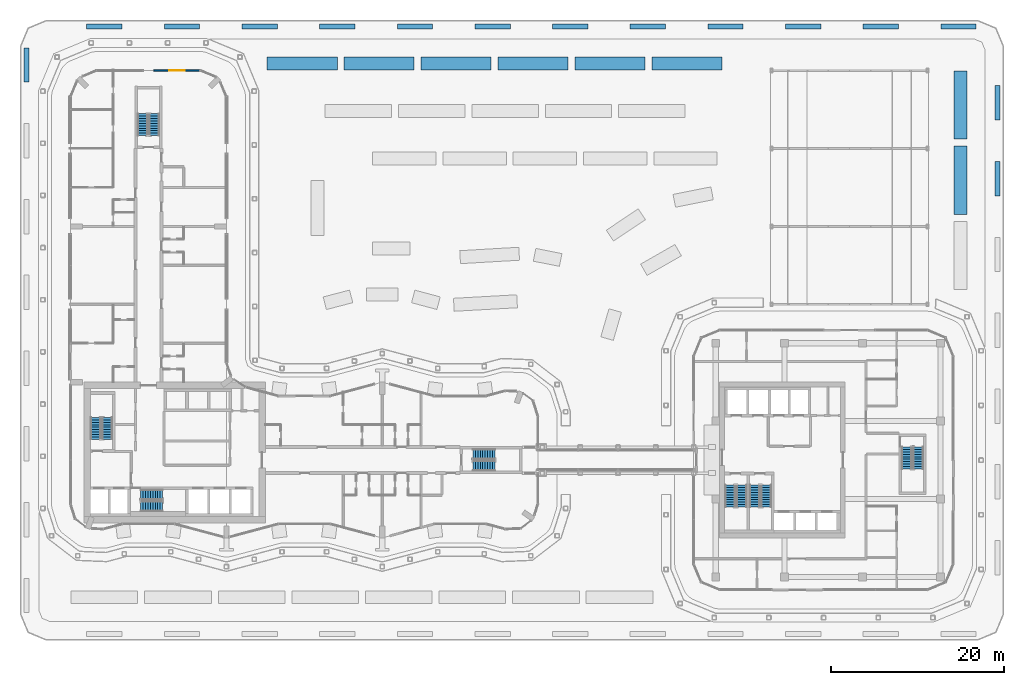
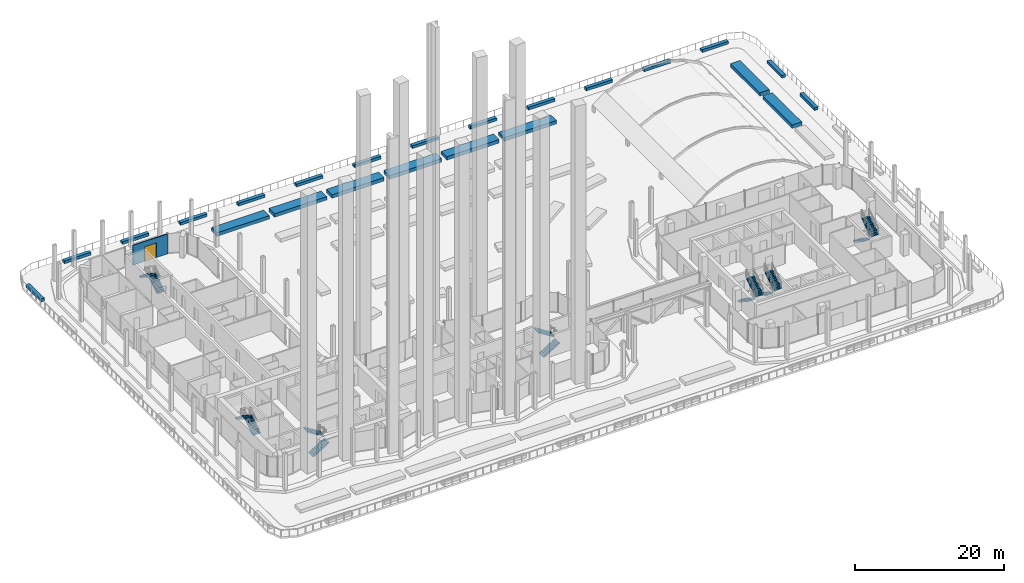
# One storey, part 29 of 33: 24 walls, 14 stair flights, 1 door, 1 opening, 7 elements without a shape of their own.
"""IFC4 building model written with IfcOpenShell, lengths in metres."""

from ifc_helpers import new_model, si_unit, direction, frame, frame_2d, origin, place, context, subcontext, project, spatial, polyline, rectangle, outline, extrude, material, layer, layer_set, type_object, element, fill, aggregate, save


model = new_model("IFC4")

# Units and contexts
model_context = context("Model", 3, precision=1e-05, world=origin(), true_north=direction((0.0, 1.0)))
body_context = subcontext(model_context, "Body", "Model", "MODEL_VIEW")
ifc_project = project(units=[si_unit("LENGTHUNIT", "METRE"), si_unit("AREAUNIT", "SQUARE_METRE"), si_unit("VOLUMEUNIT", "CUBIC_METRE"), si_unit("PLANEANGLEUNIT", "RADIAN"), si_unit("MASSUNIT", "GRAM", prefix="KILO")], contexts=[model_context])

# Site, building, storey
site_placement = place(None, origin())
site = spatial("IfcSite", under=ifc_project, at=site_placement, CompositionType="ELEMENT")
building_placement = place(site_placement, origin())
building = spatial("IfcBuilding", under=site, at=building_placement, Name="Plateau Cross Towers", CompositionType="ELEMENT")
storey_placement = place(building_placement, frame((0.0, 0.0, 26.800048828125)))
storey = spatial("IfcBuildingStorey", under=building, at=storey_placement, Name="L05", CompositionType="ELEMENT", Elevation=26.800048828125)

# Wall, opening, door
ifc_material_1 = material(Name="Aluminium framed glazing", Category="aluminium")
ifc_layer_1 = layer(ifc_material_1, 0.159912109375)
ifc_layer_set_1 = layer_set([ifc_layer_1], Name="Aluminium framed glazing")
wall_type_1 = type_object("IfcWallType", Name="Entrance screen wall 160", PredefinedType="STANDARD", material=ifc_layer_set_1)
wall_1_placement = place(storey_placement, frame((9.6201171875, 54.0, 0.0), z_axis=(0.0, 0.0, 1.0), x_axis=(1.0, 0.0, 0.0)))
wall_1 = element("IfcWall", 1, at=wall_1_placement, inside=storey, type_object=wall_type_1, Name="Deck A3 screen wall", PredefinedType="STANDARD", context=body_context, shape_type="SweptSolid", body=[
    extrude(rectangle(XDim=5.3798828125, YDim=0.159912109375, at=frame_2d((2.68994140625, 0.0))), origin(), (0.0, 0.0, 1.0), 3.25),
])
opening_placement = place(wall_1_placement, frame((1.7900390625, 0.0, 0.0)))
opening = element("IfcOpeningElement", 2, at=opening_placement, cuts=wall_1, Name="Opening XD1", PredefinedType="OPENING", context=body_context, shape_type="SweptSolid", body=[
    extrude(rectangle(XDim=1.800048828125, YDim=2.39990234375, at=frame_2d((0.89990234375, 1.199951171875))), frame((0.0, 0.08984375, 0.0), z_axis=(0.0, -1.0, 0.0), x_axis=(1.0, 0.0, 0.0)), (0.0, 0.0, 1.0), 0.179931640625),
])
door_type = type_object("IfcDoorType", Name="Terrace door double leaf 1800x2400", OperationType="DOUBLE_DOOR_SINGLE_SWING", PredefinedType="DOOR", material=ifc_material_1)
door_placement = place(opening_placement, origin())
door = element("IfcDoor", 3, at=door_placement, inside=storey, type_object=door_type, Name="Deck A3 door", OperationType="SINGLE_SWING_LEFT", OverallHeight=2.39990234375, OverallWidth=1.800048828125, PredefinedType="DOOR", context=body_context, shape_type="SweptSolid", body=[
    extrude(rectangle(XDim=1.800048828125, YDim=2.39990234375, at=frame_2d((0.89990234375, 1.199951171875))), frame((0.0, 0.02490234375, 0.0), z_axis=(0.0, -1.0, 0.0), x_axis=(1.0, 0.0, 0.0)), (0.0, 0.0, 1.0), 0.050048828125),
])
fill(opening, door)

# Walls
ifc_material_2 = material(Name="Concrete C30/37", Category="concrete")
ifc_layer_2 = layer(ifc_material_2, 0.550048828125)
ifc_layer_set_2 = layer_set([ifc_layer_2], Name="Concrete C30/37")
wall_type_2 = type_object("IfcWallType", Name="Planter upstand 550", PredefinedType="STANDARD", material=ifc_layer_set_2)
wall_2_placement = place(storey_placement, frame((-5.0849609375, 52.657958984375, 0.0), z_axis=(0.0, 0.0, 1.0), x_axis=(0.0, 1.0, 0.0)))
element("IfcWall", 4, at=wall_2_placement, inside=storey, type_object=wall_type_2, Name="Planter 8", PredefinedType="STANDARD", context=body_context, shape_type="SweptSolid", body=[
    extrude(rectangle(XDim=3.97802734375, YDim=0.550048828125, at=frame_2d((1.989013671875, 0.0))), origin(), (0.0, 0.0, 1.0), 0.449951171875),
])
for number, where, z_axis, x_axis, name in (
    (5, (1.850341796875, 59.0849609375, 0.0), (0.0, 0.0, 1.0), (1.0, 0.0, 0.0), "Planter 9"),
    (6, (10.822998046875, 59.0849609375, 0.0), (0.0, 0.0, 1.0), (1.0, 0.0, 0.0), "Planter 10"),
):
    element("IfcWall", number, at=place(storey_placement, frame(where, z_axis=z_axis, x_axis=x_axis)), inside=storey, type_object=wall_type_2, Name=name, PredefinedType="STANDARD", context=body_context, shape_type="SweptSolid", body=[
        extrude(rectangle(XDim=4.086181640625, YDim=0.550048828125, at=frame_2d((2.04296875, 0.0))), origin(), (0.0, 0.0, 1.0), 0.449951171875),
    ])
for number, where, z_axis, x_axis, name in (
    (7, (19.795654296875, 59.0849609375, 0.0), (0.0, 0.0, 1.0), (1.0, 0.0, 0.0), "Planter 11"),
    (8, (28.768310546875, 59.0849609375, 0.0), (0.0, 0.0, 1.0), (1.0, 0.0, 0.0), "Planter 12"),
    (9, (37.740966796875, 59.0849609375, 0.0), (0.0, 0.0, 1.0), (1.0, 0.0, 0.0), "Planter 13"),
    (10, (46.713623046875, 59.0849609375, 0.0), (0.0, 0.0, 1.0), (1.0, 0.0, 0.0), "Planter 14"),
    (11, (55.686279296875, 59.0849609375, 0.0), (0.0, 0.0, 1.0), (1.0, 0.0, 0.0), "Planter 15"),
    (12, (64.658935546875, 59.0849609375, 0.0), (0.0, 0.0, 1.0), (1.0, 0.0, 0.0), "Planter 16"),
    (13, (73.631591796875, 59.0849609375, 0.0), (0.0, 0.0, 1.0), (1.0, 0.0, 0.0), "Planter 17"),
):
    element("IfcWall", number, at=place(storey_placement, frame(where, z_axis=z_axis, x_axis=x_axis)), inside=storey, type_object=wall_type_2, Name=name, PredefinedType="STANDARD", context=body_context, shape_type="SweptSolid", body=[
        extrude(rectangle(XDim=4.08642578125, YDim=0.550048828125, at=frame_2d((2.043212890625, 0.0))), origin(), (0.0, 0.0, 1.0), 0.449951171875),
    ])
for number, where, z_axis, x_axis, name in (
    (14, (82.6044921875, 59.0849609375, 0.0), (0.0, 0.0, 1.0), (1.0, 0.0, 0.0), "Planter 18"),
    (15, (91.5771484375, 59.0849609375, 0.0), (0.0, 0.0, 1.0), (1.0, 0.0, 0.0), "Planter 19"),
    (16, (100.5498046875, 59.0849609375, 0.0), (0.0, 0.0, 1.0), (1.0, 0.0, 0.0), "Planter 20"),
):
    element("IfcWall", number, at=place(storey_placement, frame(where, z_axis=z_axis, x_axis=x_axis)), inside=storey, type_object=wall_type_2, Name=name, PredefinedType="STANDARD", context=body_context, shape_type="SweptSolid", body=[
        extrude(rectangle(XDim=4.086181640625, YDim=0.550048828125, at=frame_2d((2.04296875, 0.0))), origin(), (0.0, 0.0, 1.0), 0.449951171875),
    ])
wall_3_placement = place(storey_placement, frame((107.0849609375, 52.2578125, 0.0), z_axis=(0.0, 0.0, 1.0), x_axis=(0.0, -1.0, 0.0)))
element("IfcWall", 17, at=wall_3_placement, inside=storey, type_object=wall_type_2, Name="Planter 21", PredefinedType="STANDARD", context=body_context, shape_type="SweptSolid", body=[
    extrude(rectangle(XDim=3.97802734375, YDim=0.550048828125, at=frame_2d((1.989013671875, 0.0))), origin(), (0.0, 0.0, 1.0), 0.449951171875),
])
wall_4_placement = place(storey_placement, frame((107.0849609375, 43.501708984375, 0.0), z_axis=(0.0, 0.0, 1.0), x_axis=(0.0, -1.0, 0.0)))
element("IfcWall", 18, at=wall_4_placement, inside=storey, type_object=wall_type_2, Name="Planter 22", PredefinedType="STANDARD", context=body_context, shape_type="SweptSolid", body=[
    extrude(rectangle(XDim=3.978271484375, YDim=0.550048828125, at=frame_2d((1.9892578125, 0.0))), origin(), (0.0, 0.0, 1.0), 0.449951171875),
])
ifc_layer_3 = layer(ifc_material_2, 1.5)
ifc_layer_set_3 = layer_set([ifc_layer_3], Name="Concrete C30/37")
wall_type_3 = type_object("IfcWallType", Name="Planting bed 1500", PredefinedType="STANDARD", material=ifc_layer_set_3)
for number, where, z_axis, x_axis, name in (
    (19, (22.71728515625, 54.85009765625, 0.0), (0.0, 0.0, 1.0), (1.0, 0.0, 0.0), "Planter bed 1"),
    (20, (31.60986328125, 54.85009765625, 0.0), (0.0, 0.0, 1.0), (1.0, 0.0, 0.0), "Planter bed 2"),
    (21, (40.502197265625, 54.85009765625, 0.0), (0.0, 0.0, 1.0), (1.0, 0.0, 0.0), "Planter bed 3"),
    (22, (49.394775390625, 54.85009765625, 0.0), (0.0, 0.0, 1.0), (1.0, 0.0, 0.0), "Planter bed 4"),
    (23, (58.287353515625, 54.85009765625, 0.0), (0.0, 0.0, 1.0), (1.0, 0.0, 0.0), "Planter bed 5"),
    (24, (67.179931640625, 54.85009765625, 0.0), (0.0, 0.0, 1.0), (1.0, 0.0, 0.0), "Planter bed 6"),
):
    element("IfcWall", number, at=place(storey_placement, frame(where, z_axis=z_axis, x_axis=x_axis)), inside=storey, type_object=wall_type_3, Name=name, PredefinedType="STANDARD", context=body_context, shape_type="SweptSolid", body=[
        extrude(rectangle(XDim=8.092529296875, YDim=1.5, at=frame_2d((4.04638671875, 0.0))), origin(), (0.0, 0.0, 1.0), 0.599853515625),
    ])
wall_5_placement = place(storey_placement, frame((102.85009765625, 53.949951171875, 0.0), z_axis=(0.0, 0.0, 1.0), x_axis=(0.0, -1.0, 0.0)))
element("IfcWall", 25, at=wall_5_placement, inside=storey, type_object=wall_type_3, Name="Planter bed 7", PredefinedType="STANDARD", context=body_context, shape_type="SweptSolid", body=[
    extrude(rectangle(XDim=7.87744140625, YDim=1.5, at=frame_2d((3.938720703125, 0.0))), origin(), (0.0, 0.0, 1.0), 0.599853515625),
])
wall_6_placement = place(storey_placement, frame((102.85009765625, 45.2724609375, 0.0), z_axis=(0.0, 0.0, 1.0), x_axis=(0.0, -1.0, 0.0)))
element("IfcWall", 26, at=wall_6_placement, inside=storey, type_object=wall_type_3, Name="Planter bed 8", PredefinedType="STANDARD", context=body_context, shape_type="SweptSolid", body=[
    extrude(rectangle(XDim=7.877685546875, YDim=1.5, at=frame_2d((3.93896484375, 0.0))), origin(), (0.0, 0.0, 1.0), 0.599853515625),
])

# Stair, stair flights
ifc_material_3 = material(Name="Concrete C40/50", Category="concrete")
stair_type = type_object("IfcStairType", Name="ST-TWR", PredefinedType="HALF_TURN_STAIR", material=ifc_material_3)
stair_1_placement = place(storey_placement, origin())
stair_1 = element("IfcStair", 27, at=stair_1_placement, inside=storey, type_object=stair_type, Name="L05 Protected Exit Stair ST-1", PredefinedType="HALF_TURN_STAIR")
stair_flight_type = type_object("IfcStairFlightType", Name="SFL-RC", PredefinedType="STRAIGHT", material=ifc_material_3)
stair_flight_1_placement = place(storey_placement, frame((4.25, 11.39990234375, 0.0), z_axis=(0.0, 0.0, 1.0), x_axis=(0.0, 1.0, 0.0)))
stair_flight_1 = element("IfcStairFlight", 28, at=stair_flight_1_placement, type_object=stair_flight_type, Name="ST-1 flight 1", NumberOfRisers=10, NumberOfTreads=9, PredefinedType="STRAIGHT", RiserHeight=0.175, TreadLength=0.28, context=body_context, shape_type="SweptSolid", body=[
    extrude(outline(polyline([(-0.0048828125, -0.010009765625), (-0.0048828125, 0.0), (0.0, 0.0), (0.0, 0.175048828125), (0.280029296875, 0.175048828125), (0.280029296875, 0.35009765625), (0.56005859375, 0.35009765625), (0.56005859375, 0.52490234375), (0.840087890625, 0.52490234375), (0.840087890625, 0.699951171875), (1.1201171875, 0.699951171875), (1.1201171875, 0.875), (1.39990234375, 0.875), (1.39990234375, 1.050048828125), (1.679931640625, 1.050048828125), (1.679931640625, 1.22509765625), (1.9599609375, 1.22509765625), (1.9599609375, 1.39990234375), (2.239990234375, 1.39990234375), (2.239990234375, 1.574951171875), (2.52001953125, 1.574951171875), (2.52490234375, 1.56494140625), (2.52490234375, 1.398193359375), (2.52001953125, 1.398193359375), (0.28271484375, 0.0), (0.02001953125, 0.0), (0.02001953125, -0.010009765625), (-0.0048828125, -0.010009765625)])), frame((0.0, 0.60009765625, 0.0), z_axis=(0.0, -1.0, 0.0), x_axis=(1.0, 0.0, 0.0)), (0.0, 0.0, 1.0), 1.199951171875),
])
stair_flight_2_placement = place(storey_placement, frame((2.89990234375, 13.919921875, 1.75), z_axis=(0.0, 0.0, 1.0), x_axis=(0.0, -1.0, 0.0)))
stair_flight_2 = element("IfcStairFlight", 29, at=stair_flight_2_placement, type_object=stair_flight_type, Name="ST-1 flight 2", NumberOfRisers=10, NumberOfTreads=9, PredefinedType="STRAIGHT", RiserHeight=0.175, TreadLength=0.28, context=body_context, shape_type="SweptSolid", body=[
    extrude(outline(polyline([(-0.0048828125, -0.010009765625), (-0.0048828125, 0.0), (0.0, 0.0), (0.0, 0.175048828125), (0.280029296875, 0.175048828125), (0.280029296875, 0.35009765625), (0.56005859375, 0.35009765625), (0.56005859375, 0.52490234375), (0.840087890625, 0.52490234375), (0.840087890625, 0.699951171875), (1.1201171875, 0.699951171875), (1.1201171875, 0.875), (1.39990234375, 0.875), (1.39990234375, 1.050048828125), (1.679931640625, 1.050048828125), (1.679931640625, 1.22509765625), (1.9599609375, 1.22509765625), (1.9599609375, 1.39990234375), (2.239990234375, 1.39990234375), (2.239990234375, 1.574951171875), (2.52001953125, 1.574951171875), (2.52490234375, 1.56494140625), (2.52490234375, 1.398193359375), (2.52001953125, 1.398193359375), (0.28271484375, 0.0), (0.02001953125, 0.0), (0.02001953125, -0.010009765625), (-0.0048828125, -0.010009765625)])), frame((0.0, 0.60009765625, 0.0), z_axis=(0.0, -1.0, 0.0), x_axis=(1.0, 0.0, 0.0)), (0.0, 0.0, 1.0), 1.199951171875),
])
aggregate(stair_1, [stair_flight_1, stair_flight_2])

stair_2_placement = place(storey_placement, origin())
stair_2 = element("IfcStair", 30, at=stair_2_placement, inside=storey, type_object=stair_type, Name="L05 Protected Exit Stair ST-2", PredefinedType="HALF_TURN_STAIR")
stair_flight_3_placement = place(storey_placement, frame((8.10009765625, 3.64990234375, 0.0), z_axis=(0.0, 0.0, 1.0), x_axis=(1.0, 0.0, 0.0)))
stair_flight_3 = element("IfcStairFlight", 31, at=stair_flight_3_placement, type_object=stair_flight_type, Name="ST-2 flight 1", NumberOfRisers=10, NumberOfTreads=9, PredefinedType="STRAIGHT", RiserHeight=0.175, TreadLength=0.28, context=body_context, shape_type="SweptSolid", body=[
    extrude(outline(polyline([(-0.0048828125, -0.010009765625), (-0.0048828125, 0.0), (0.0, 0.0), (0.0, 0.175048828125), (0.280029296875, 0.175048828125), (0.280029296875, 0.35009765625), (0.56005859375, 0.35009765625), (0.56005859375, 0.52490234375), (0.840087890625, 0.52490234375), (0.840087890625, 0.699951171875), (1.1201171875, 0.699951171875), (1.1201171875, 0.875), (1.39990234375, 0.875), (1.39990234375, 1.050048828125), (1.679931640625, 1.050048828125), (1.679931640625, 1.22509765625), (1.9599609375, 1.22509765625), (1.9599609375, 1.39990234375), (2.239990234375, 1.39990234375), (2.239990234375, 1.574951171875), (2.52001953125, 1.574951171875), (2.52490234375, 1.56494140625), (2.52490234375, 1.398193359375), (2.52001953125, 1.398193359375), (0.28271484375, 0.0), (0.02001953125, 0.0), (0.02001953125, -0.010009765625), (-0.0048828125, -0.010009765625)])), frame((0.0, 0.60009765625, 0.0), z_axis=(0.0, -1.0, 0.0), x_axis=(1.0, 0.0, 0.0)), (0.0, 0.0, 1.0), 1.199951171875),
])
stair_flight_4_placement = place(storey_placement, frame((10.6201171875, 5.0, 1.75), z_axis=(0.0, 0.0, 1.0), x_axis=(-1.0, 0.0, 0.0)))
stair_flight_4 = element("IfcStairFlight", 32, at=stair_flight_4_placement, type_object=stair_flight_type, Name="ST-2 flight 2", NumberOfRisers=10, NumberOfTreads=9, PredefinedType="STRAIGHT", RiserHeight=0.175, TreadLength=0.28, context=body_context, shape_type="SweptSolid", body=[
    extrude(outline(polyline([(-0.0048828125, -0.010009765625), (-0.0048828125, 0.0), (0.0, 0.0), (0.0, 0.175048828125), (0.280029296875, 0.175048828125), (0.280029296875, 0.35009765625), (0.56005859375, 0.35009765625), (0.56005859375, 0.52490234375), (0.840087890625, 0.52490234375), (0.840087890625, 0.699951171875), (1.1201171875, 0.699951171875), (1.1201171875, 0.875), (1.39990234375, 0.875), (1.39990234375, 1.050048828125), (1.679931640625, 1.050048828125), (1.679931640625, 1.22509765625), (1.9599609375, 1.22509765625), (1.9599609375, 1.39990234375), (2.239990234375, 1.39990234375), (2.239990234375, 1.574951171875), (2.52001953125, 1.574951171875), (2.52490234375, 1.56494140625), (2.52490234375, 1.398193359375), (2.52001953125, 1.398193359375), (0.28271484375, 0.0), (0.02001953125, 0.0), (0.02001953125, -0.010009765625), (-0.0048828125, -0.010009765625)])), frame((0.0, 0.60009765625, 0.0), z_axis=(0.0, -1.0, 0.0), x_axis=(1.0, 0.0, 0.0)), (0.0, 0.0, 1.0), 1.199951171875),
])
aggregate(stair_2, [stair_flight_3, stair_flight_4])

stair_3_placement = place(storey_placement, origin())
stair_3 = element("IfcStair", 33, at=stair_3_placement, inside=storey, type_object=stair_type, Name="L05 Protected Exit Stair SB-1", PredefinedType="HALF_TURN_STAIR")
stair_flight_5_placement = place(storey_placement, frame((76.199951171875, 6.10009765625, 0.0), z_axis=(0.0, 0.0, 1.0), x_axis=(0.0, -1.0, 0.0)))
stair_flight_5 = element("IfcStairFlight", 34, at=stair_flight_5_placement, type_object=stair_flight_type, Name="SB-1 flight 1", NumberOfRisers=10, NumberOfTreads=9, PredefinedType="STRAIGHT", RiserHeight=0.175, TreadLength=0.28, context=body_context, shape_type="SweptSolid", body=[
    extrude(outline(polyline([(-0.0048828125, -0.010009765625), (-0.0048828125, 0.0), (0.0, 0.0), (0.0, 0.175048828125), (0.280029296875, 0.175048828125), (0.280029296875, 0.35009765625), (0.56005859375, 0.35009765625), (0.56005859375, 0.52490234375), (0.840087890625, 0.52490234375), (0.840087890625, 0.699951171875), (1.1201171875, 0.699951171875), (1.1201171875, 0.875), (1.39990234375, 0.875), (1.39990234375, 1.050048828125), (1.679931640625, 1.050048828125), (1.679931640625, 1.22509765625), (1.9599609375, 1.22509765625), (1.9599609375, 1.39990234375), (2.239990234375, 1.39990234375), (2.239990234375, 1.574951171875), (2.52001953125, 1.574951171875), (2.52490234375, 1.56494140625), (2.52490234375, 1.398193359375), (2.52001953125, 1.398193359375), (0.28271484375, 0.0), (0.02001953125, 0.0), (0.02001953125, -0.010009765625), (-0.0048828125, -0.010009765625)])), frame((0.0, 0.60009765625, 0.0), z_axis=(0.0, -1.0, 0.0), x_axis=(1.0, 0.0, 0.0)), (0.0, 0.0, 1.0), 1.199951171875),
])
stair_flight_6_placement = place(storey_placement, frame((77.550048828125, 3.580078125, 1.75), z_axis=(0.0, 0.0, 1.0), x_axis=(0.0, 1.0, 0.0)))
stair_flight_6 = element("IfcStairFlight", 35, at=stair_flight_6_placement, type_object=stair_flight_type, Name="SB-1 flight 2", NumberOfRisers=10, NumberOfTreads=9, PredefinedType="STRAIGHT", RiserHeight=0.175, TreadLength=0.28, context=body_context, shape_type="SweptSolid", body=[
    extrude(outline(polyline([(-0.0048828125, -0.010009765625), (-0.0048828125, 0.0), (0.0, 0.0), (0.0, 0.175048828125), (0.280029296875, 0.175048828125), (0.280029296875, 0.35009765625), (0.56005859375, 0.35009765625), (0.56005859375, 0.52490234375), (0.840087890625, 0.52490234375), (0.840087890625, 0.699951171875), (1.1201171875, 0.699951171875), (1.1201171875, 0.875), (1.39990234375, 0.875), (1.39990234375, 1.050048828125), (1.679931640625, 1.050048828125), (1.679931640625, 1.22509765625), (1.9599609375, 1.22509765625), (1.9599609375, 1.39990234375), (2.239990234375, 1.39990234375), (2.239990234375, 1.574951171875), (2.52001953125, 1.574951171875), (2.52490234375, 1.56494140625), (2.52490234375, 1.398193359375), (2.52001953125, 1.398193359375), (0.28271484375, 0.0), (0.02001953125, 0.0), (0.02001953125, -0.010009765625), (-0.0048828125, -0.010009765625)])), frame((0.0, 0.60009765625, 0.0), z_axis=(0.0, -1.0, 0.0), x_axis=(1.0, 0.0, 0.0)), (0.0, 0.0, 1.0), 1.199951171875),
])
aggregate(stair_3, [stair_flight_5, stair_flight_6])

stair_4_placement = place(storey_placement, origin())
stair_4 = element("IfcStair", 36, at=stair_4_placement, inside=storey, type_object=stair_type, Name="L05 Protected Exit Stair SB-2", PredefinedType="HALF_TURN_STAIR")
stair_flight_7_placement = place(storey_placement, frame((79.050048828125, 6.10009765625, 0.0), z_axis=(0.0, 0.0, 1.0), x_axis=(0.0, -1.0, 0.0)))
stair_flight_7 = element("IfcStairFlight", 37, at=stair_flight_7_placement, type_object=stair_flight_type, Name="SB-2 flight 1", NumberOfRisers=10, NumberOfTreads=9, PredefinedType="STRAIGHT", RiserHeight=0.175, TreadLength=0.28, context=body_context, shape_type="SweptSolid", body=[
    extrude(outline(polyline([(-0.0048828125, -0.010009765625), (-0.0048828125, 0.0), (0.0, 0.0), (0.0, 0.175048828125), (0.280029296875, 0.175048828125), (0.280029296875, 0.35009765625), (0.56005859375, 0.35009765625), (0.56005859375, 0.52490234375), (0.840087890625, 0.52490234375), (0.840087890625, 0.699951171875), (1.1201171875, 0.699951171875), (1.1201171875, 0.875), (1.39990234375, 0.875), (1.39990234375, 1.050048828125), (1.679931640625, 1.050048828125), (1.679931640625, 1.22509765625), (1.9599609375, 1.22509765625), (1.9599609375, 1.39990234375), (2.239990234375, 1.39990234375), (2.239990234375, 1.574951171875), (2.52001953125, 1.574951171875), (2.52490234375, 1.56494140625), (2.52490234375, 1.398193359375), (2.52001953125, 1.398193359375), (0.28271484375, 0.0), (0.02001953125, 0.0), (0.02001953125, -0.010009765625), (-0.0048828125, -0.010009765625)])), frame((0.0, 0.60009765625, 0.0), z_axis=(0.0, -1.0, 0.0), x_axis=(1.0, 0.0, 0.0)), (0.0, 0.0, 1.0), 1.199951171875),
])
stair_flight_8_placement = place(storey_placement, frame((80.39990234375, 3.580078125, 1.75), z_axis=(0.0, 0.0, 1.0), x_axis=(0.0, 1.0, 0.0)))
stair_flight_8 = element("IfcStairFlight", 38, at=stair_flight_8_placement, type_object=stair_flight_type, Name="SB-2 flight 2", NumberOfRisers=10, NumberOfTreads=9, PredefinedType="STRAIGHT", RiserHeight=0.175, TreadLength=0.28, context=body_context, shape_type="SweptSolid", body=[
    extrude(outline(polyline([(-0.0048828125, -0.010009765625), (-0.0048828125, 0.0), (0.0, 0.0), (0.0, 0.175048828125), (0.280029296875, 0.175048828125), (0.280029296875, 0.35009765625), (0.56005859375, 0.35009765625), (0.56005859375, 0.52490234375), (0.840087890625, 0.52490234375), (0.840087890625, 0.699951171875), (1.1201171875, 0.699951171875), (1.1201171875, 0.875), (1.39990234375, 0.875), (1.39990234375, 1.050048828125), (1.679931640625, 1.050048828125), (1.679931640625, 1.22509765625), (1.9599609375, 1.22509765625), (1.9599609375, 1.39990234375), (2.239990234375, 1.39990234375), (2.239990234375, 1.574951171875), (2.52001953125, 1.574951171875), (2.52490234375, 1.56494140625), (2.52490234375, 1.398193359375), (2.52001953125, 1.398193359375), (0.28271484375, 0.0), (0.02001953125, 0.0), (0.02001953125, -0.010009765625), (-0.0048828125, -0.010009765625)])), frame((0.0, 0.60009765625, 0.0), z_axis=(0.0, -1.0, 0.0), x_axis=(1.0, 0.0, 0.0)), (0.0, 0.0, 1.0), 1.199951171875),
])
aggregate(stair_4, [stair_flight_7, stair_flight_8])

stair_5_placement = place(storey_placement, origin())
stair_5 = element("IfcStair", 39, at=stair_5_placement, inside=storey, type_object=stair_type, Name="L05 Protected Exit Stair SB-3", PredefinedType="HALF_TURN_STAIR")
stair_flight_9_placement = place(storey_placement, frame((96.60009765625, 10.5, 0.0), z_axis=(0.0, 0.0, 1.0), x_axis=(0.0, -1.0, 0.0)))
stair_flight_9 = element("IfcStairFlight", 40, at=stair_flight_9_placement, type_object=stair_flight_type, Name="SB-3 flight 1", NumberOfRisers=10, NumberOfTreads=9, PredefinedType="STRAIGHT", RiserHeight=0.175, TreadLength=0.28, context=body_context, shape_type="SweptSolid", body=[
    extrude(outline(polyline([(-0.0048828125, -0.010009765625), (-0.0048828125, 0.0), (0.0, 0.0), (0.0, 0.175048828125), (0.280029296875, 0.175048828125), (0.280029296875, 0.35009765625), (0.56005859375, 0.35009765625), (0.56005859375, 0.52490234375), (0.840087890625, 0.52490234375), (0.840087890625, 0.699951171875), (1.1201171875, 0.699951171875), (1.1201171875, 0.875), (1.39990234375, 0.875), (1.39990234375, 1.050048828125), (1.679931640625, 1.050048828125), (1.679931640625, 1.22509765625), (1.9599609375, 1.22509765625), (1.9599609375, 1.39990234375), (2.239990234375, 1.39990234375), (2.239990234375, 1.574951171875), (2.52001953125, 1.574951171875), (2.52490234375, 1.56494140625), (2.52490234375, 1.398193359375), (2.52001953125, 1.398193359375), (0.28271484375, 0.0), (0.02001953125, 0.0), (0.02001953125, -0.010009765625), (-0.0048828125, -0.010009765625)])), frame((0.0, 0.60009765625, 0.0), z_axis=(0.0, -1.0, 0.0), x_axis=(1.0, 0.0, 0.0)), (0.0, 0.0, 1.0), 1.199951171875),
])
stair_flight_10_placement = place(storey_placement, frame((97.949951171875, 7.97998046875, 1.75), z_axis=(0.0, 0.0, 1.0), x_axis=(0.0, 1.0, 0.0)))
stair_flight_10 = element("IfcStairFlight", 41, at=stair_flight_10_placement, type_object=stair_flight_type, Name="SB-3 flight 2", NumberOfRisers=10, NumberOfTreads=9, PredefinedType="STRAIGHT", RiserHeight=0.175, TreadLength=0.28, context=body_context, shape_type="SweptSolid", body=[
    extrude(outline(polyline([(-0.0048828125, -0.010009765625), (-0.0048828125, 0.0), (0.0, 0.0), (0.0, 0.175048828125), (0.280029296875, 0.175048828125), (0.280029296875, 0.35009765625), (0.56005859375, 0.35009765625), (0.56005859375, 0.52490234375), (0.840087890625, 0.52490234375), (0.840087890625, 0.699951171875), (1.1201171875, 0.699951171875), (1.1201171875, 0.875), (1.39990234375, 0.875), (1.39990234375, 1.050048828125), (1.679931640625, 1.050048828125), (1.679931640625, 1.22509765625), (1.9599609375, 1.22509765625), (1.9599609375, 1.39990234375), (2.239990234375, 1.39990234375), (2.239990234375, 1.574951171875), (2.52001953125, 1.574951171875), (2.52490234375, 1.56494140625), (2.52490234375, 1.398193359375), (2.52001953125, 1.398193359375), (0.28271484375, 0.0), (0.02001953125, 0.0), (0.02001953125, -0.010009765625), (-0.0048828125, -0.010009765625)])), frame((0.0, 0.60009765625, 0.0), z_axis=(0.0, -1.0, 0.0), x_axis=(1.0, 0.0, 0.0)), (0.0, 0.0, 1.0), 1.199951171875),
])
aggregate(stair_5, [stair_flight_9, stair_flight_10])

stair_6_placement = place(storey_placement, origin())
stair_6 = element("IfcStair", 42, at=stair_6_placement, inside=storey, type_object=stair_type, Name="L05 Protected Exit Stair E", PredefinedType="HALF_TURN_STAIR")
stair_flight_11_placement = place(storey_placement, frame((46.5, 8.324951171875, 0.0), z_axis=(0.0, 0.0, 1.0), x_axis=(1.0, 0.0, 0.0)))
stair_flight_11 = element("IfcStairFlight", 43, at=stair_flight_11_placement, type_object=stair_flight_type, Name="ES-E flight 1", NumberOfRisers=10, NumberOfTreads=9, PredefinedType="STRAIGHT", RiserHeight=0.175, TreadLength=0.28, context=body_context, shape_type="SweptSolid", body=[
    extrude(outline(polyline([(-0.0048828125, -0.010009765625), (-0.0048828125, 0.0), (0.0, 0.0), (0.0, 0.175048828125), (0.280029296875, 0.175048828125), (0.280029296875, 0.35009765625), (0.56005859375, 0.35009765625), (0.56005859375, 0.52490234375), (0.840087890625, 0.52490234375), (0.840087890625, 0.699951171875), (1.1201171875, 0.699951171875), (1.1201171875, 0.875), (1.39990234375, 0.875), (1.39990234375, 1.050048828125), (1.679931640625, 1.050048828125), (1.679931640625, 1.22509765625), (1.9599609375, 1.22509765625), (1.9599609375, 1.39990234375), (2.239990234375, 1.39990234375), (2.239990234375, 1.574951171875), (2.52001953125, 1.574951171875), (2.52490234375, 1.56494140625), (2.52490234375, 1.398193359375), (2.52001953125, 1.398193359375), (0.28271484375, 0.0), (0.02001953125, 0.0), (0.02001953125, -0.010009765625), (-0.0048828125, -0.010009765625)])), frame((0.0, 0.60009765625, 0.0), z_axis=(0.0, -1.0, 0.0), x_axis=(1.0, 0.0, 0.0)), (0.0, 0.0, 1.0), 1.199951171875),
])
stair_flight_12_placement = place(storey_placement, frame((49.02001953125, 9.675048828125, 1.75), z_axis=(0.0, 0.0, 1.0), x_axis=(-1.0, 0.0, 0.0)))
stair_flight_12 = element("IfcStairFlight", 44, at=stair_flight_12_placement, type_object=stair_flight_type, Name="ES-E flight 2", NumberOfRisers=10, NumberOfTreads=9, PredefinedType="STRAIGHT", RiserHeight=0.175, TreadLength=0.28, context=body_context, shape_type="SweptSolid", body=[
    extrude(outline(polyline([(-0.0048828125, -0.010009765625), (-0.0048828125, 0.0), (0.0, 0.0), (0.0, 0.175048828125), (0.280029296875, 0.175048828125), (0.280029296875, 0.35009765625), (0.56005859375, 0.35009765625), (0.56005859375, 0.52490234375), (0.840087890625, 0.52490234375), (0.840087890625, 0.699951171875), (1.1201171875, 0.699951171875), (1.1201171875, 0.875), (1.39990234375, 0.875), (1.39990234375, 1.050048828125), (1.679931640625, 1.050048828125), (1.679931640625, 1.22509765625), (1.9599609375, 1.22509765625), (1.9599609375, 1.39990234375), (2.239990234375, 1.39990234375), (2.239990234375, 1.574951171875), (2.52001953125, 1.574951171875), (2.52490234375, 1.56494140625), (2.52490234375, 1.398193359375), (2.52001953125, 1.398193359375), (0.28271484375, 0.0), (0.02001953125, 0.0), (0.02001953125, -0.010009765625), (-0.0048828125, -0.010009765625)])), frame((0.0, 0.60009765625, 0.0), z_axis=(0.0, -1.0, 0.0), x_axis=(1.0, 0.0, 0.0)), (0.0, 0.0, 1.0), 1.199951171875),
])
aggregate(stair_6, [stair_flight_11, stair_flight_12])

stair_7_placement = place(storey_placement, origin())
stair_7 = element("IfcStair", 45, at=stair_7_placement, inside=storey, type_object=stair_type, Name="L05 Protected Exit Stair N", PredefinedType="HALF_TURN_STAIR")
stair_flight_13_placement = place(storey_placement, frame((9.675048828125, 46.5, 0.0), z_axis=(0.0, 0.0, 1.0), x_axis=(0.0, 1.0, 0.0)))
stair_flight_13 = element("IfcStairFlight", 46, at=stair_flight_13_placement, type_object=stair_flight_type, Name="ES-N flight 1", NumberOfRisers=10, NumberOfTreads=9, PredefinedType="STRAIGHT", RiserHeight=0.175, TreadLength=0.28, context=body_context, shape_type="SweptSolid", body=[
    extrude(outline(polyline([(-0.0048828125, -0.010009765625), (-0.0048828125, 0.0), (0.0, 0.0), (0.0, 0.175048828125), (0.280029296875, 0.175048828125), (0.280029296875, 0.35009765625), (0.56005859375, 0.35009765625), (0.56005859375, 0.52490234375), (0.840087890625, 0.52490234375), (0.840087890625, 0.699951171875), (1.1201171875, 0.699951171875), (1.1201171875, 0.875), (1.39990234375, 0.875), (1.39990234375, 1.050048828125), (1.679931640625, 1.050048828125), (1.679931640625, 1.22509765625), (1.9599609375, 1.22509765625), (1.9599609375, 1.39990234375), (2.239990234375, 1.39990234375), (2.239990234375, 1.574951171875), (2.52001953125, 1.574951171875), (2.52490234375, 1.56494140625), (2.52490234375, 1.398193359375), (2.52001953125, 1.398193359375), (0.28271484375, 0.0), (0.02001953125, 0.0), (0.02001953125, -0.010009765625), (-0.0048828125, -0.010009765625)])), frame((0.0, 0.60009765625, 0.0), z_axis=(0.0, -1.0, 0.0), x_axis=(1.0, 0.0, 0.0)), (0.0, 0.0, 1.0), 1.199951171875),
])
stair_flight_14_placement = place(storey_placement, frame((8.324951171875, 49.02001953125, 1.75), z_axis=(0.0, 0.0, 1.0), x_axis=(0.0, -1.0, 0.0)))
stair_flight_14 = element("IfcStairFlight", 47, at=stair_flight_14_placement, type_object=stair_flight_type, Name="ES-N flight 2", NumberOfRisers=10, NumberOfTreads=9, PredefinedType="STRAIGHT", RiserHeight=0.175, TreadLength=0.28, context=body_context, shape_type="SweptSolid", body=[
    extrude(outline(polyline([(-0.0048828125, -0.010009765625), (-0.0048828125, 0.0), (0.0, 0.0), (0.0, 0.175048828125), (0.280029296875, 0.175048828125), (0.280029296875, 0.35009765625), (0.56005859375, 0.35009765625), (0.56005859375, 0.52490234375), (0.840087890625, 0.52490234375), (0.840087890625, 0.699951171875), (1.1201171875, 0.699951171875), (1.1201171875, 0.875), (1.39990234375, 0.875), (1.39990234375, 1.050048828125), (1.679931640625, 1.050048828125), (1.679931640625, 1.22509765625), (1.9599609375, 1.22509765625), (1.9599609375, 1.39990234375), (2.239990234375, 1.39990234375), (2.239990234375, 1.574951171875), (2.52001953125, 1.574951171875), (2.52490234375, 1.56494140625), (2.52490234375, 1.398193359375), (2.52001953125, 1.398193359375), (0.28271484375, 0.0), (0.02001953125, 0.0), (0.02001953125, -0.010009765625), (-0.0048828125, -0.010009765625)])), frame((0.0, 0.60009765625, 0.0), z_axis=(0.0, -1.0, 0.0), x_axis=(1.0, 0.0, 0.0)), (0.0, 0.0, 1.0), 1.199951171875),
])
aggregate(stair_7, [stair_flight_13, stair_flight_14])

save(model, "model.ifc")
